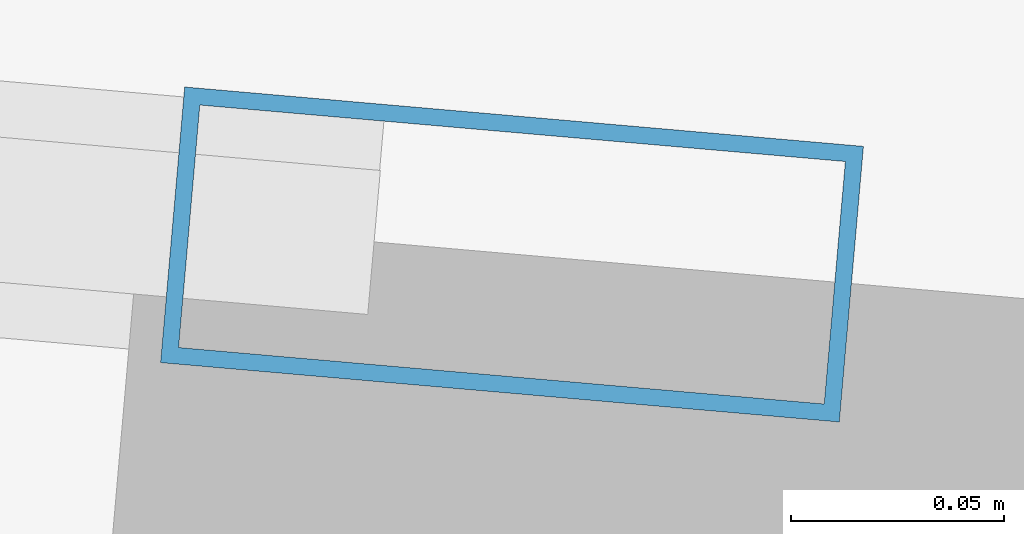
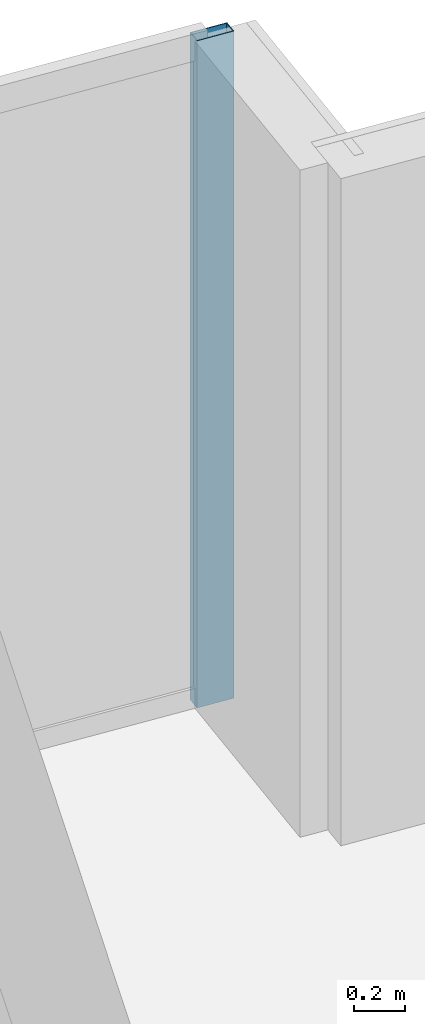
# One storey, part 22 of 32: 1 member, 1 element without a shape of its own.
"""IFC4 building model written with IfcOpenShell, lengths in metres."""

import ifcopenshell
import ifcopenshell.guid

model = None  # the IFC model being written
_history = None  # IfcOwnerHistory: only IFC2X3 demands one
_inside = {}  # id of a spatial element -> (the spatial element, [elements in it])
_under = {}  # id of a project, library or spatial element -> (it, [spatial elements below it])
_declared = {}  # id of a project -> (the project, [libraries it declares])
_typed = {}  # id of a type object -> (the type object, [elements of that type])
_made_of = {}  # id of a material, layer set ... -> (it, [elements and type objects made of it])


def new_model(schema):
    """Start an empty IFC model of exactly this schema.

    Asked for "IFC4X3", IfcOpenShell would pick the latest addendum, in which some entities
    have other attributes; the version numbers below select the first issue.
    IFC2X3 requires an IfcOwnerHistory on every rooted entity: one is made here for all.
    """
    global model, _history
    if schema == "IFC4X3":
        model = ifcopenshell.file(schema_version=(4, 3, 0, 0))
    else:
        model = ifcopenshell.file(schema=schema)
    _inside.clear()
    _under.clear()
    _declared.clear()
    _typed.clear()
    _made_of.clear()
    _history = None
    if model.schema == "IFC2X3":
        org = make("IfcOrganization", Name="unknown")
        user = make(
            "IfcPersonAndOrganization",
            ThePerson=make("IfcPerson", FamilyName="unknown"),
            TheOrganization=org,
        )
        app = make(
            "IfcApplication",
            ApplicationDeveloper=org,
            Version="unknown",
            ApplicationFullName="unknown",
            ApplicationIdentifier="unknown",
        )
        _history = make(
            "IfcOwnerHistory",
            OwningUser=user,
            OwningApplication=app,
            ChangeAction="ADDED",
            CreationDate=0,
        )
    return model


def make(cls, **values):
    """One entity of the class cls with the attributes given. An attribute that is None is left unset."""
    return model.create_entity(
        cls, **{name: value for name, value in values.items() if value is not None}
    )


def rooted(cls, **values):
    """An entity with a GlobalId (a new one), such as an element, a storey or a relation."""
    return make(cls, GlobalId=ifcopenshell.guid.new(), OwnerHistory=_history, **values)


def si_unit(unit_type, name, prefix=None):
    """IfcSIUnit, for example si_unit("LENGTHUNIT", "METRE", prefix="MILLI")."""
    return make("IfcSIUnit", UnitType=unit_type, Prefix=prefix, Name=name)


def assignment(units):
    """IfcUnitAssignment: the units of a project."""
    return None if units is None else make("IfcUnitAssignment", Units=units)


def point(xyz):
    """IfcCartesianPoint."""
    return None if xyz is None else make("IfcCartesianPoint", Coordinates=xyz)


def direction(xyz):
    """IfcDirection."""
    return None if xyz is None else make("IfcDirection", DirectionRatios=xyz)


def frame(location, z_axis=None, x_axis=None):
    """IfcAxis2Placement3D, a coordinate frame: its origin and axes. An axis left out is left unset."""
    return make(
        "IfcAxis2Placement3D",
        Location=point(location),
        Axis=direction(z_axis),
        RefDirection=direction(x_axis),
    )


def frame_2d(location, x_axis=None):
    """IfcAxis2Placement2D, a coordinate frame in the plane: its origin and x axis."""
    return make(
        "IfcAxis2Placement2D", Location=point(location), RefDirection=direction(x_axis)
    )


def origin():
    """The frame at (0, 0, 0) with its axes left unset."""
    return frame((0.0, 0.0, 0.0))


def origin_2d():
    """The frame at (0, 0) in the plane with its x axis left unset."""
    return frame_2d((0.0, 0.0))


def place(relative_to, where):
    """IfcLocalPlacement: puts the frame where relative to a parent placement (None: the world)."""
    return make(
        "IfcLocalPlacement", PlacementRelTo=relative_to, RelativePlacement=where
    )


def context(
    kind, dimensions, precision=None, world=None, true_north=None, identifier=None
):
    """IfcGeometricRepresentationContext, for example the 3D "Model" context."""
    return make(
        "IfcGeometricRepresentationContext",
        ContextIdentifier=identifier,
        ContextType=kind,
        CoordinateSpaceDimension=dimensions,
        Precision=precision,
        WorldCoordinateSystem=world,
        TrueNorth=true_north,
    )


def subcontext(parent, identifier, kind, view, scale=None):
    """IfcGeometricRepresentationSubContext, for example "Body" below "Model"."""
    return make(
        "IfcGeometricRepresentationSubContext",
        ContextIdentifier=identifier,
        ContextType=kind,
        ParentContext=parent,
        TargetScale=scale,
        TargetView=view,
    )


def project(units=None, contexts=None):
    """IfcProject with its units and contexts."""
    return rooted(
        "IfcProject",
        Name="project",
        RepresentationContexts=contexts,
        UnitsInContext=assignment(units),
    )


def spatial(cls, under=None, at=None, **own):
    """A site, building, storey or space (cls), placed at a placement, below another one or the project."""
    s = rooted(cls, ObjectPlacement=at, **own)
    if under is not None:
        _under.setdefault(under.id(), (under, []))[1].append(s)
    return s


def profile(cls, at=None, kind="AREA", **sizes):
    """A parametric profile (cls). Its sizes go by their IFC names, for example OverallWidth=200.0."""
    return make(cls, ProfileType=kind, Position=at, **sizes)


def hollow_rectangle(**sizes):
    """IfcRectangleHollowProfileDef."""
    return profile("IfcRectangleHollowProfileDef", **sizes)


def extrude(swept, where, along, depth):
    """IfcExtrudedAreaSolid: the profile swept, set in the frame where, extruded along a direction by depth."""
    return make(
        "IfcExtrudedAreaSolid",
        SweptArea=swept,
        Position=where,
        ExtrudedDirection=direction(along),
        Depth=depth,
    )


def shape(context_of_items, identifier, shape_type, items):
    """IfcShapeRepresentation: the items that make up one representation, for example the "Body"."""
    return make(
        "IfcShapeRepresentation",
        ContextOfItems=context_of_items,
        RepresentationIdentifier=identifier,
        RepresentationType=shape_type,
        Items=items,
    )


def material(Name=None, Category=None):
    """IfcMaterial."""
    return make("IfcMaterial", Name=Name, Category=Category)


def material_profile(
    of_material, cross_section, Name=None, Category=None, Priority=None
):
    """IfcMaterialProfile: a cross section and its material."""
    return make(
        "IfcMaterialProfile",
        Name=Name,
        Material=of_material,
        Profile=cross_section,
        Priority=Priority,
        Category=Category,
    )


def profile_set(profiles, Name=None, composite=None):
    """IfcMaterialProfileSet."""
    return make(
        "IfcMaterialProfileSet",
        Name=Name,
        MaterialProfiles=profiles,
        CompositeProfile=composite,
    )


def made_of(thing, what):
    """Note that an element or type object is made of a material, layer set ...; save() writes the relation."""
    if what is not None:
        _made_of.setdefault(what.id(), (what, []))[1].append(thing)
    return thing


def type_object(cls, material=None, **own):
    """A type object (cls), such as IfcWallType, which elements share."""
    return made_of(rooted(cls, **own), material)


def element(
    cls,
    number,
    at=None,
    inside=None,
    cuts=None,
    type_object=None,
    material=None,
    context=None,
    identifier="Body",
    shape_type=None,
    held_by="IfcProductDefinitionShape",
    body=None,
    shapes=None,
    **own,
):
    """One element of the class cls, such as IfcWall. Its Tag is "e" and its number.

    at: its placement. inside: the storey or other place that contains it. cuts: it is an
    opening in that element (IfcRelVoidsElement). A single representation is given by context,
    identifier, shape_type and body (its items); several are given by shapes. held_by: the class
    of the entity that holds the representations. save() writes the other relations.
    """
    e = rooted(cls, Tag="e%d" % number, ObjectPlacement=at, **own)
    if body is not None:
        shapes = [shape(context, identifier, shape_type, body)]
    if shapes is not None:
        e.Representation = make(held_by, Representations=shapes)
    if inside is not None:
        _inside.setdefault(inside.id(), (inside, []))[1].append(e)
    if cuts is not None:
        rooted(
            "IfcRelVoidsElement", RelatingBuildingElement=cuts, RelatedOpeningElement=e
        )
    if type_object is not None:
        _typed.setdefault(type_object.id(), (type_object, []))[1].append(e)
    return made_of(e, material)


def aggregate(whole, parts):
    """IfcRelAggregates: a whole, such as a stair, and the parts it consists of."""
    return rooted("IfcRelAggregates", RelatingObject=whole, RelatedObjects=parts)


def save(model, path):
    """Write the relations noted so far, then the file.

    IfcRelAggregates (storeys below a building ...), IfcRelContainedInSpatialStructure (elements
    in a storey), IfcRelDefinesByType, IfcRelAssociatesMaterial and IfcRelDeclares: one each for
    every whole, place, type object, material and project.
    """
    for whole, parts in _under.values():
        aggregate(whole, parts)
    for where, things in _inside.values():
        rooted(
            "IfcRelContainedInSpatialStructure",
            RelatedElements=things,
            RelatingStructure=where,
        )
    for kind, things in _typed.values():
        rooted("IfcRelDefinesByType", RelatedObjects=things, RelatingType=kind)
    for what, things in _made_of.values():
        rooted("IfcRelAssociatesMaterial", RelatedObjects=things, RelatingMaterial=what)
    for by, libraries in _declared.values():
        rooted("IfcRelDeclares", RelatingContext=by, RelatedDefinitions=libraries)
    model.write(path)


model = new_model("IFC4")

# Units and contexts
model_context = context("Model", 3, precision=1e-05, world=origin(), true_north=direction((0.0, 1.0)))
body_context = subcontext(model_context, "Body", "Model", "MODEL_VIEW")
ifc_project = project(units=[si_unit("LENGTHUNIT", "METRE"), si_unit("AREAUNIT", "SQUARE_METRE"), si_unit("VOLUMEUNIT", "CUBIC_METRE"), si_unit("PLANEANGLEUNIT", "RADIAN"), si_unit("MASSUNIT", "GRAM", prefix="KILO")], contexts=[model_context])

# Site, building, storey
site_placement = place(None, origin())
site = spatial("IfcSite", under=ifc_project, at=site_placement, CompositionType="ELEMENT")
building_placement = place(site_placement, origin())
building = spatial("IfcBuilding", under=site, at=building_placement, Name="Yelkora Congress Tower", CompositionType="ELEMENT")
storey_placement = place(building_placement, frame((0.0, 0.0, 293.10009765625)))
storey = spatial("IfcBuildingStorey", under=building, at=storey_placement, Name="L82", CompositionType="ELEMENT", Elevation=293.10009765625)

# Curtain wall, member
ifc_material_1 = material(Name="Anodised aluminium and insulated glass", Category="aluminium")
curtain_wall_type = type_object("IfcCurtainWallType", Name="CW-SYS-B5", PredefinedType="NOTDEFINED", material=ifc_material_1)
curtain_wall_placement = place(storey_placement, origin())
curtain_wall = element("IfcCurtainWall", 1, at=curtain_wall_placement, inside=storey, type_object=curtain_wall_type, Name="L82 Unitised Curtain Wall 10", PredefinedType="NOTDEFINED")
ifc_material_2 = material(Name="Anodised aluminium 6063-T6", Category="aluminium")
ifc_material_profile = material_profile(ifc_material_2, hollow_rectangle(XDim=0.06494140625, YDim=0.159912109375, WallThickness=0.00390625, at=origin_2d()), Name="ALU 65x160x4")
ifc_profile_set = profile_set([ifc_material_profile], Name="Anodised aluminium 6063-T6")
member_type = type_object("IfcMemberType", Name="MEM-ML-B5", PredefinedType="MULLION", material=ifc_profile_set)
member_placement = place(storey_placement, frame((55.753662109375, 46.44580078125, 0.0), z_axis=(0.0, 0.0, 1.0), x_axis=(0.087156639893, 0.996194619601, 0.0)))
member = element("IfcMember", 2, at=member_placement, type_object=member_type, Name="CW-B5 mullion 8", PredefinedType="MULLION", context=body_context, shape_type="SweptSolid", body=[
    extrude(hollow_rectangle(XDim=0.06494140625, YDim=0.159912109375, WallThickness=0.00390625, at=origin_2d()), origin(), (0.0, 0.0, 1.0), 3.179931640625),
])
aggregate(curtain_wall, [member])

save(model, "model.ifc")
